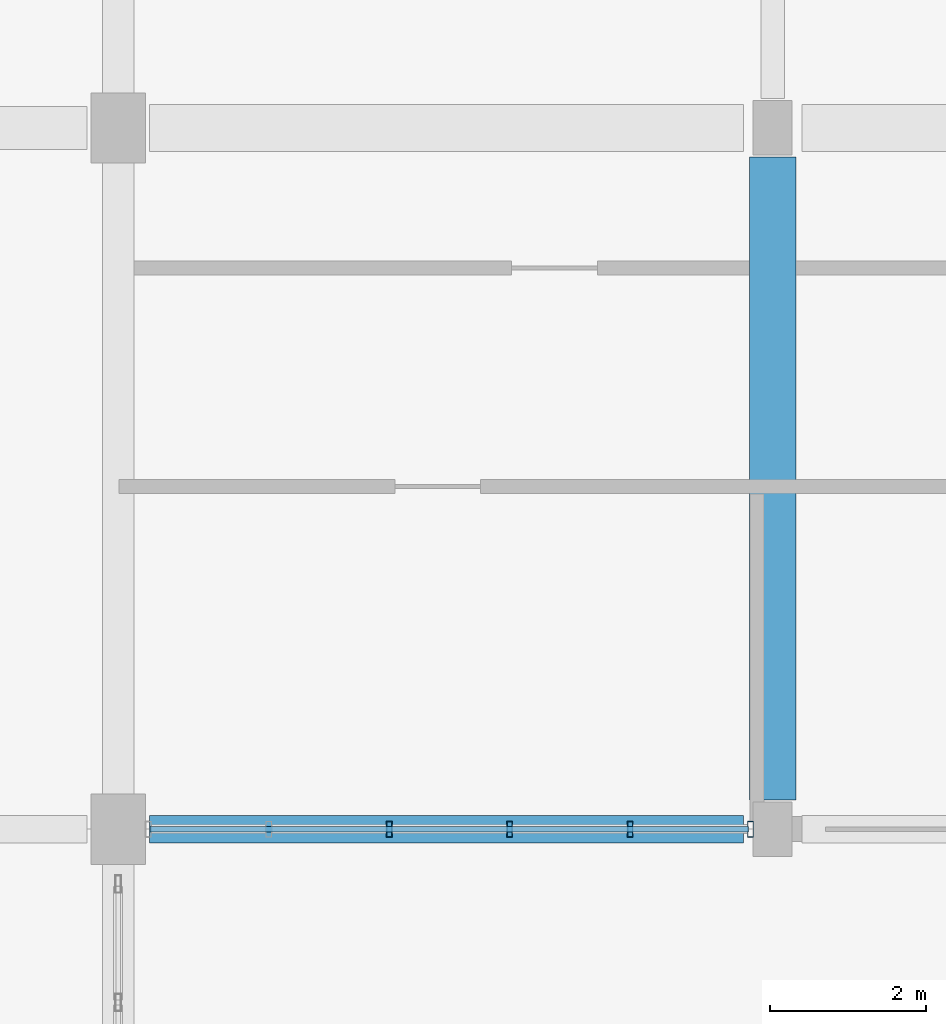
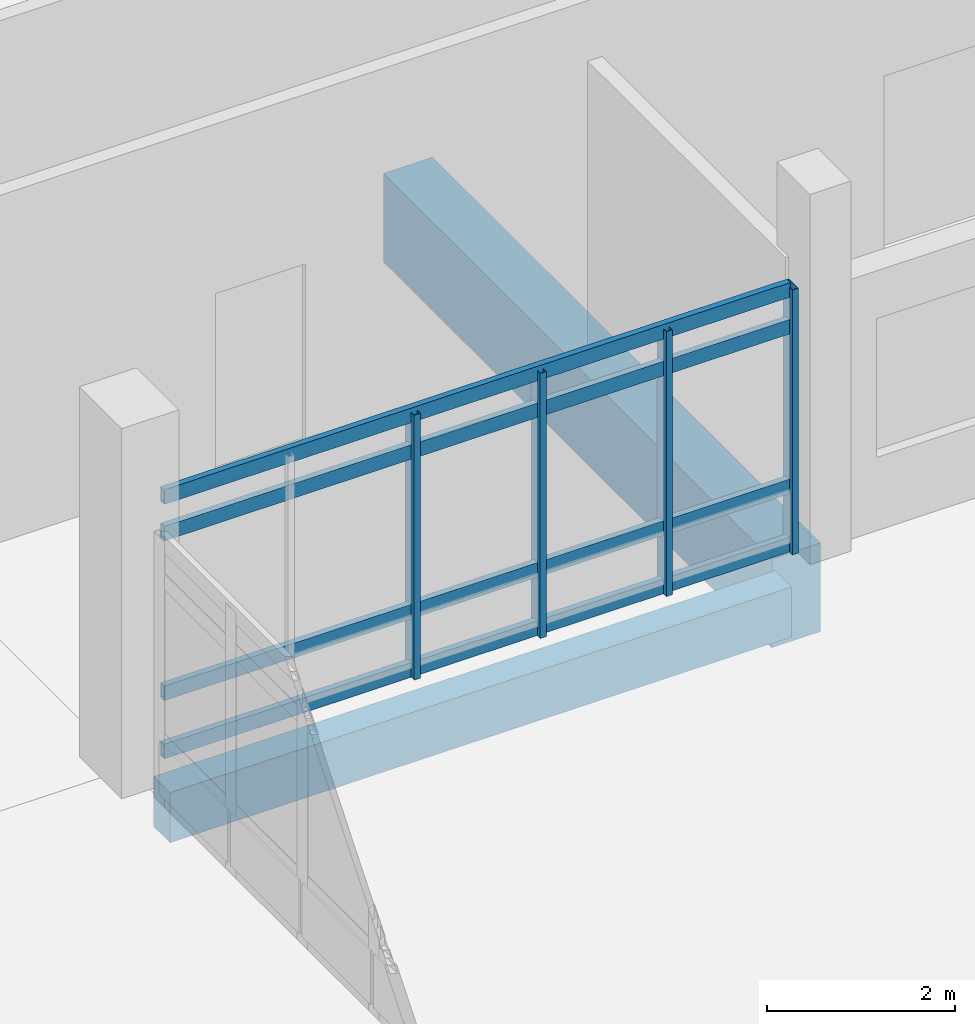
# One storey, part 29 of 95: 8 members, 2 beams, 1 element without a shape of its own.
"""IFC4 building model written with IfcOpenShell, lengths in metres."""

from ifc_helpers import new_model, si_unit, direction, frame, origin, origin_2d, place, context, subcontext, project, spatial, rectangle, hollow_rectangle, extrude, material, layer, layer_set, material_profile, profile_set, type_object, element, aggregate, save


model = new_model("IFC4")

# Units and contexts
model_context = context("Model", 3, precision=1e-05, world=origin(), true_north=direction((0.0, 1.0)))
body_context = subcontext(model_context, "Body", "Model", "MODEL_VIEW")
ifc_project = project(units=[si_unit("LENGTHUNIT", "METRE"), si_unit("AREAUNIT", "SQUARE_METRE"), si_unit("VOLUMEUNIT", "CUBIC_METRE"), si_unit("PLANEANGLEUNIT", "RADIAN"), si_unit("MASSUNIT", "GRAM", prefix="KILO")], contexts=[model_context])

# Site, building, storey
site_placement = place(None, origin())
site = spatial("IfcSite", under=ifc_project, at=site_placement, CompositionType="ELEMENT")
building_placement = place(site_placement, origin())
building = spatial("IfcBuilding", under=site, at=building_placement, Name="Vireocrest Preparatory School", CompositionType="ELEMENT")
storey_placement = place(building_placement, origin())
storey = spatial("IfcBuildingStorey", under=building, at=storey_placement, Name="L00", CompositionType="ELEMENT", Elevation=0.0)

# Curtain wall, members
ifc_material_1 = material(Name="Thermally broken aluminium EN AW-6063-T6", Category="aluminium")
ifc_layer = layer(ifc_material_1, 0.179931640625)
ifc_layer_set = layer_set([ifc_layer], Name="Thermally broken aluminium EN AW-6063-T6")
curtain_wall_type = type_object("IfcCurtainWallType", Name="Side Banded Curtain Wall 9000x3200", PredefinedType="USERDEFINED", material=ifc_layer_set)
curtain_wall_placement = place(storey_placement, origin())
curtain_wall = element("IfcCurtainWall", 1, at=curtain_wall_placement, inside=storey, type_object=curtain_wall_type, Name="Curtain Wall CW09 CW_L00_CW09_1095_0180_000", ObjectType="CURTAIN WALL", PredefinedType="USERDEFINED")
ifc_material_profile_1 = material_profile(ifc_material_1, hollow_rectangle(XDim=0.074951171875, YDim=0.199951171875, WallThickness=0.0048828125, at=origin_2d()), Name="ALU 75x200x5")
ifc_profile_set_1 = profile_set([ifc_material_profile_1], Name="Thermally broken aluminium EN AW-6063-T6")
member_type_1 = type_object("IfcMemberType", Name="CW Mullion 75x200x5", PredefinedType="MULLION", material=ifc_profile_set_1)
member_1_placement = place(storey_placement, frame((112.677001953125, 18.0, 0.0), z_axis=(0.0, 0.0, 1.0), x_axis=(1.0, 0.0, 0.0)))
member_1 = element("IfcMember", 2, at=member_1_placement, type_object=member_type_1, Name="CW Mullion ML3 CW_L00_CW09_1095_0180_000-3", PredefinedType="MULLION", context=body_context, shape_type="SweptSolid", body=[
    extrude(hollow_rectangle(XDim=0.074951171875, YDim=0.199951171875, WallThickness=0.0048828125, at=origin_2d()), origin(), (0.0, 0.0, 1.0), 3.43505859375),
])
member_2_placement = place(storey_placement, frame((114.222900390625, 18.0, 0.0), z_axis=(0.0, 0.0, 1.0), x_axis=(1.0, 0.0, 0.0)))
member_2 = element("IfcMember", 3, at=member_2_placement, type_object=member_type_1, Name="CW Mullion ML3 CW_L00_CW09_1095_0180_000-4", PredefinedType="MULLION", context=body_context, shape_type="SweptSolid", body=[
    extrude(hollow_rectangle(XDim=0.074951171875, YDim=0.199951171875, WallThickness=0.0048828125, at=origin_2d()), origin(), (0.0, 0.0, 1.0), 3.43505859375),
])
member_3_placement = place(storey_placement, frame((115.76904296875, 18.0, 0.0), z_axis=(0.0, 0.0, 1.0), x_axis=(1.0, 0.0, 0.0)))
member_3 = element("IfcMember", 4, at=member_3_placement, type_object=member_type_1, Name="CW Mullion ML3 CW_L00_CW09_1095_0180_000-5", PredefinedType="MULLION", context=body_context, shape_type="SweptSolid", body=[
    extrude(hollow_rectangle(XDim=0.074951171875, YDim=0.199951171875, WallThickness=0.0048828125, at=origin_2d()), origin(), (0.0, 0.0, 1.0), 3.43505859375),
])
member_4_placement = place(storey_placement, frame((117.31494140625, 18.0, 0.0), z_axis=(0.0, 0.0, 1.0), x_axis=(1.0, 0.0, 0.0)))
member_4 = element("IfcMember", 5, at=member_4_placement, type_object=member_type_1, Name="CW Mullion ML3 CW_L00_CW09_1095_0180_000-6", PredefinedType="MULLION", context=body_context, shape_type="SweptSolid", body=[
    extrude(hollow_rectangle(XDim=0.074951171875, YDim=0.199951171875, WallThickness=0.0048828125, at=origin_2d()), origin(), (0.0, 0.0, 1.0), 3.43505859375),
])
ifc_material_profile_2 = material_profile(ifc_material_1, hollow_rectangle(XDim=0.074951171875, YDim=0.18994140625, WallThickness=0.00390625, at=origin_2d()), Name="ALU 75x190x4")
ifc_profile_set_2 = profile_set([ifc_material_profile_2], Name="Thermally broken aluminium EN AW-6063-T6")
member_type_2 = type_object("IfcMemberType", Name="CW Transom 75x190x4", PredefinedType="USERDEFINED", material=ifc_profile_set_2)
member_5_placement = place(storey_placement, frame((109.610107421875, 18.0, 0.094970703125), z_axis=(1.0, 0.0, 0.0), x_axis=(0.0, 1.0, 0.0)))
member_5 = element("IfcMember", 6, at=member_5_placement, type_object=member_type_2, Name="CW Transom TR3 CW_L00_CW09_1095_0180_000-1", ObjectType="TRANSOM", PredefinedType="USERDEFINED", context=body_context, shape_type="SweptSolid", body=[
    extrude(hollow_rectangle(XDim=0.074951171875, YDim=0.18994140625, WallThickness=0.00390625, at=origin_2d()), origin(), (0.0, 0.0, 1.0), 7.679931640625),
])
member_6_placement = place(storey_placement, frame((109.610107421875, 18.0, 0.85009765625), z_axis=(1.0, 0.0, 0.0), x_axis=(0.0, 1.0, 0.0)))
member_6 = element("IfcMember", 7, at=member_6_placement, type_object=member_type_2, Name="CW Transom TR3 CW_L00_CW09_1095_0180_000-2", ObjectType="TRANSOM", PredefinedType="USERDEFINED", context=body_context, shape_type="SweptSolid", body=[
    extrude(hollow_rectangle(XDim=0.074951171875, YDim=0.18994140625, WallThickness=0.00390625, at=origin_2d()), origin(), (0.0, 0.0, 1.0), 7.679931640625),
])
member_7_placement = place(storey_placement, frame((109.610107421875, 18.0, 2.919921875), z_axis=(1.0, 0.0, 0.0), x_axis=(0.0, 1.0, 0.0)))
member_7 = element("IfcMember", 8, at=member_7_placement, type_object=member_type_2, Name="CW Transom TR3 CW_L00_CW09_1095_0180_000-3", ObjectType="TRANSOM", PredefinedType="USERDEFINED", context=body_context, shape_type="SweptSolid", body=[
    extrude(hollow_rectangle(XDim=0.074951171875, YDim=0.18994140625, WallThickness=0.00390625, at=origin_2d()), origin(), (0.0, 0.0, 1.0), 7.679931640625),
])
member_8_placement = place(storey_placement, frame((109.610107421875, 18.0, 3.39501953125), z_axis=(1.0, 0.0, 0.0), x_axis=(0.0, 1.0, 0.0)))
member_8 = element("IfcMember", 9, at=member_8_placement, type_object=member_type_2, Name="CW Transom TR3 CW_L00_CW09_1095_0180_000-4", ObjectType="TRANSOM", PredefinedType="USERDEFINED", context=body_context, shape_type="SweptSolid", body=[
    extrude(hollow_rectangle(XDim=0.074951171875, YDim=0.18994140625, WallThickness=0.00390625, at=origin_2d()), origin(), (0.0, 0.0, 1.0), 7.679931640625),
])
aggregate(curtain_wall, [member_1, member_2, member_3, member_4, member_5, member_6, member_7, member_8])

# Beams
ifc_material_2 = material(Name="Concrete 40 MPa", Category="concrete")
ifc_material_profile_3 = material_profile(ifc_material_2, rectangle(XDim=0.35009765625, YDim=0.64990234375, at=origin_2d()), Name="RC 350x650")
ifc_profile_set_3 = profile_set([ifc_material_profile_3], Name="Concrete 40 MPa")
beam_type_1 = type_object("IfcBeamType", Name="RC Classroom Girder 350x650", PredefinedType="BEAM", material=ifc_profile_set_3)
beam_1_placement = place(storey_placement, frame((109.60009765625, 18.0, -0.675048828125), z_axis=(1.0, 0.0, 0.0), x_axis=(0.0, 1.0, 0.0)))
element("IfcBeam", 10, at=beam_1_placement, inside=storey, type_object=beam_type_1, Name="Primary Girder B05 L00-0021", PredefinedType="BEAM", context=body_context, shape_type="SweptSolid", body=[
    extrude(rectangle(XDim=0.35009765625, YDim=0.64990234375, at=origin_2d()), origin(), (0.0, 0.0, 1.0), 7.625),
])
ifc_material_profile_4 = material_profile(ifc_material_2, rectangle(XDim=0.60009765625, YDim=1.14990234375, at=origin_2d()), Name="RC 600x1150")
ifc_profile_set_4 = profile_set([ifc_material_profile_4], Name="Concrete 40 MPa")
beam_type_2 = type_object("IfcBeamType", Name="RC Heavy Transfer Girder 600x1150", PredefinedType="BEAM", material=ifc_profile_set_4)
beam_2_placement = place(storey_placement, frame((117.60009765625, 18.375, -0.925048828125), z_axis=(0.0, 1.0, 0.0), x_axis=(-1.0, 0.0, 0.0)))
element("IfcBeam", 11, at=beam_2_placement, inside=storey, type_object=beam_type_2, Name="Primary Girder B20 L00-0229", PredefinedType="BEAM", context=body_context, shape_type="SweptSolid", body=[
    extrude(rectangle(XDim=0.60009765625, YDim=1.14990234375, at=origin_2d()), origin(), (0.0, 0.0, 1.0), 8.25),
])

save(model, "model.ifc")
